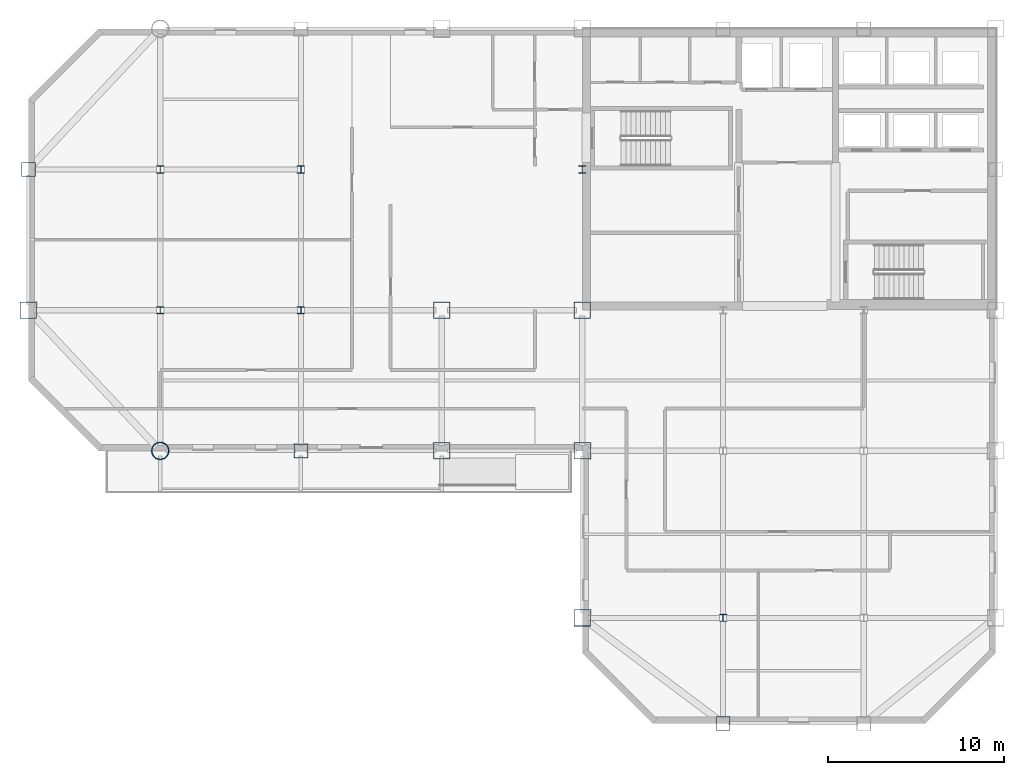
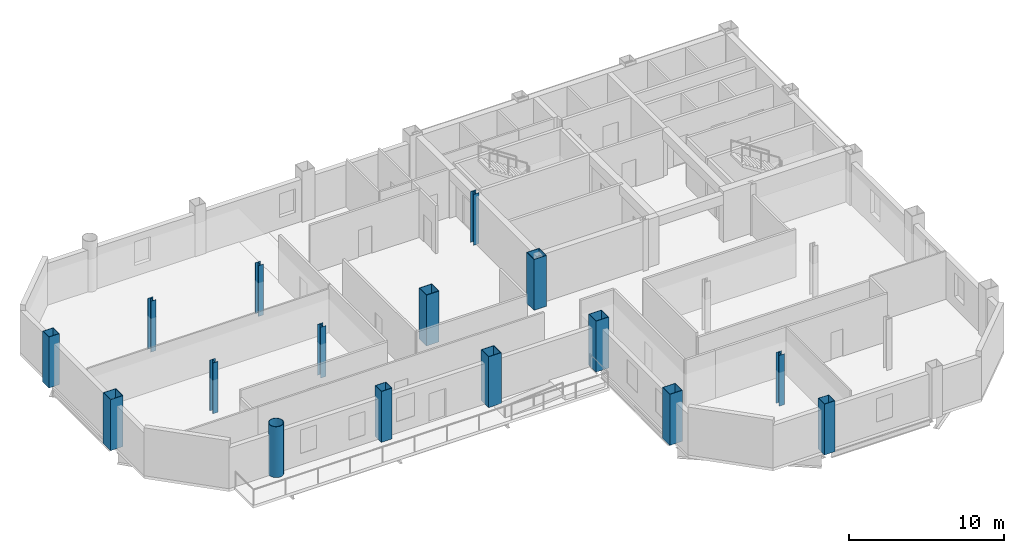
# One storey, part 1 of 10: 16 columns.
"""IFC4 building model written with IfcOpenShell, lengths in metres."""

from ifc_helpers import new_model, si_unit, direction, frame, origin, origin_2d, place, context, subcontext, project, spatial, hollow_rectangle, hollow_circle, i_section, extrude, material, material_profile, profile_set, type_object, element, save


model = new_model("IFC4")

# Units and contexts
model_context = context("Model", 3, precision=1e-05, world=origin(), true_north=direction((0.0, 1.0)))
body_context = subcontext(model_context, "Body", "Model", "MODEL_VIEW")
ifc_project = project(units=[si_unit("LENGTHUNIT", "METRE"), si_unit("AREAUNIT", "SQUARE_METRE"), si_unit("VOLUMEUNIT", "CUBIC_METRE"), si_unit("PLANEANGLEUNIT", "RADIAN"), si_unit("MASSUNIT", "GRAM", prefix="KILO")], contexts=[model_context])

# Site, building, storey
site_placement = place(None, origin())
site = spatial("IfcSite", under=ifc_project, at=site_placement, CompositionType="ELEMENT")
building_placement = place(site_placement, origin())
building = spatial("IfcBuilding", under=site, at=building_placement, Name="Qianrong Seaharbour Tower", CompositionType="ELEMENT")
storey_placement = place(building_placement, frame((0.0, 0.0, 237.800048828125)))
storey = spatial("IfcBuildingStorey", under=building, at=storey_placement, Name="L57", CompositionType="ELEMENT", Elevation=237.800048828125)

# Columns
ifc_material = material(Name="Structural steel SN490B", Category="steel")
ifc_material_profile_1 = material_profile(ifc_material, hollow_rectangle(XDim=0.949951171875, YDim=0.949951171875, WallThickness=0.035888671875, at=origin_2d()), Name="BOX950x950x36")
ifc_profile_set_1 = profile_set([ifc_material_profile_1], Name="Structural steel SN490B")
column_type_1 = type_object("IfcColumnType", Name="COL-CFT-950", PredefinedType="COLUMN", material=ifc_profile_set_1)
for number, where, z_axis, x_axis, name in (
    (1, (9.0, 36.0, 0.0), (0.0, 0.0, 1.0), (1.0, 0.0, 0.0), "L57 Column MC-4 at G2/GF"),
    (2, (32.5, 28.0, 0.0), (0.0, 0.0, 1.0), (1.0, 0.0, 0.0), "L57 Column MC-4 at G5/GE"),
    (3, (32.5, 36.0, 0.0), (0.0, 0.0, 1.0), (1.0, 0.0, 0.0), "L57 Column MC-4 at G5/GF"),
    (4, (40.5, 18.5, 0.0), (0.0, 0.0, 1.0), (1.0, 0.0, 0.0), "L57 Column MC-4 at G6/GD"),
    (5, (40.5, 28.0, 0.0), (0.0, 0.0, 1.0), (1.0, 0.0, 0.0), "L57 Column MC-4 at G6/GE"),
    (6, (40.5, 36.0, 0.0), (0.0, 0.0, 1.0), (1.0, 0.0, 0.0), "L57 Column MC-4 at G6/GF"),
):
    element("IfcColumn", number, at=place(storey_placement, frame(where, z_axis=z_axis, x_axis=x_axis)), inside=storey, type_object=column_type_1, Name=name, PredefinedType="COLUMN", context=body_context, shape_type="SweptSolid", body=[
        extrude(hollow_rectangle(XDim=0.949951171875, YDim=0.949951171875, WallThickness=0.035888671875, at=origin_2d()), origin(), (0.0, 0.0, 1.0), 4.0),
    ])
ifc_material_profile_2 = material_profile(ifc_material, hollow_circle(Radius=0.5, WallThickness=0.035888671875, at=origin_2d()), Name="CHS1000x36")
ifc_profile_set_2 = profile_set([ifc_material_profile_2], Name="Structural steel SN490B")
column_type_2 = type_object("IfcColumnType", Name="COL-CHS-1000", PredefinedType="COLUMN", material=ifc_profile_set_2)
column_placement = place(storey_placement, frame((16.5, 28.0, 0.0), z_axis=(0.0, 0.0, 1.0), x_axis=(1.0, 0.0, 0.0)))
element("IfcColumn", 7, at=column_placement, inside=storey, type_object=column_type_2, Name="L57 Column CC-2 at G3/GE", PredefinedType="COLUMN", context=body_context, shape_type="SweptSolid", body=[
    extrude(hollow_circle(Radius=0.5, WallThickness=0.035888671875, at=origin_2d()), origin(), (0.0, 0.0, 1.0), 4.0),
])
ifc_material_profile_3 = material_profile(ifc_material, i_section(OverallWidth=0.39990234375, OverallDepth=0.39990234375, WebThickness=0.012939453125, FlangeThickness=0.02099609375, FilletRadius=0.02197265625, at=origin_2d()), Name="H400x400x13x21")
ifc_profile_set_3 = profile_set([ifc_material_profile_3], Name="Structural steel SN490B")
column_type_3 = type_object("IfcColumnType", Name="COL-INT-H400", PredefinedType="COLUMN", material=ifc_profile_set_3)
for number, where, z_axis, x_axis, name in (
    (8, (16.5, 36.0, 0.0), (0.0, 0.0, 1.0), (1.0, 0.0, 0.0), "L57 Column IC-3 at G3/GF"),
    (9, (16.5, 44.0, 0.0), (0.0, 0.0, 1.0), (1.0, 0.0, 0.0), "L57 Column IC-3 at G3/GG"),
    (10, (24.5, 36.0, 0.0), (0.0, 0.0, 1.0), (1.0, 0.0, 0.0), "L57 Column IC-3 at G4/GF"),
    (11, (24.5, 44.0, 0.0), (0.0, 0.0, 1.0), (1.0, 0.0, 0.0), "L57 Column IC-3 at G4/GG"),
    (12, (40.5, 44.0, 0.0), (0.0, 0.0, 1.0), (1.0, 0.0, 0.0), "L57 Column IC-3 at G6/GG"),
    (13, (48.5, 18.5, 0.0), (0.0, 0.0, 1.0), (1.0, 0.0, 0.0), "L57 Column IC-3 at G7/GD"),
):
    element("IfcColumn", number, at=place(storey_placement, frame(where, z_axis=z_axis, x_axis=x_axis)), inside=storey, type_object=column_type_3, Name=name, PredefinedType="COLUMN", context=body_context, shape_type="SweptSolid", body=[
        extrude(i_section(OverallWidth=0.39990234375, OverallDepth=0.39990234375, WebThickness=0.012939453125, FlangeThickness=0.02099609375, FilletRadius=0.02197265625, at=origin_2d()), origin(), (0.0, 0.0, 1.0), 4.0),
    ])
ifc_material_profile_4 = material_profile(ifc_material, hollow_rectangle(XDim=0.800048828125, YDim=0.800048828125, WallThickness=0.031982421875, at=origin_2d()), Name="BOX800x800x32")
ifc_profile_set_4 = profile_set([ifc_material_profile_4], Name="Structural steel SN490B")
column_type_4 = type_object("IfcColumnType", Name="COL-PER-800", PredefinedType="COLUMN", material=ifc_profile_set_4)
for number, where, z_axis, x_axis, name in (
    (14, (9.0, 44.0, 0.0), (0.0, 0.0, 1.0), (1.0, 0.0, 0.0), "L57 Column PC-3 at G2/GG"),
    (15, (24.5, 28.0, 0.0), (0.0, 0.0, 1.0), (1.0, 0.0, 0.0), "L57 Column PC-3 at G4/GE"),
    (16, (48.5, 12.5, 0.0), (0.0, 0.0, 1.0), (1.0, 0.0, 0.0), "L57 Column PC-3 at G7/GC"),
):
    element("IfcColumn", number, at=place(storey_placement, frame(where, z_axis=z_axis, x_axis=x_axis)), inside=storey, type_object=column_type_4, Name=name, PredefinedType="COLUMN", context=body_context, shape_type="SweptSolid", body=[
        extrude(hollow_rectangle(XDim=0.800048828125, YDim=0.800048828125, WallThickness=0.031982421875, at=origin_2d()), origin(), (0.0, 0.0, 1.0), 4.0),
    ])

save(model, "model.ifc")
